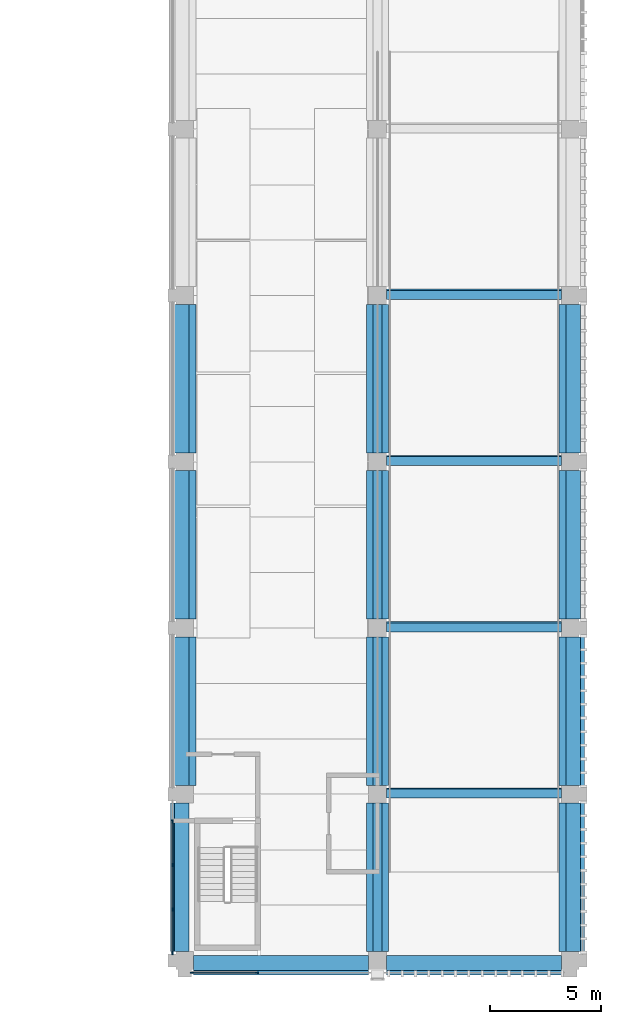
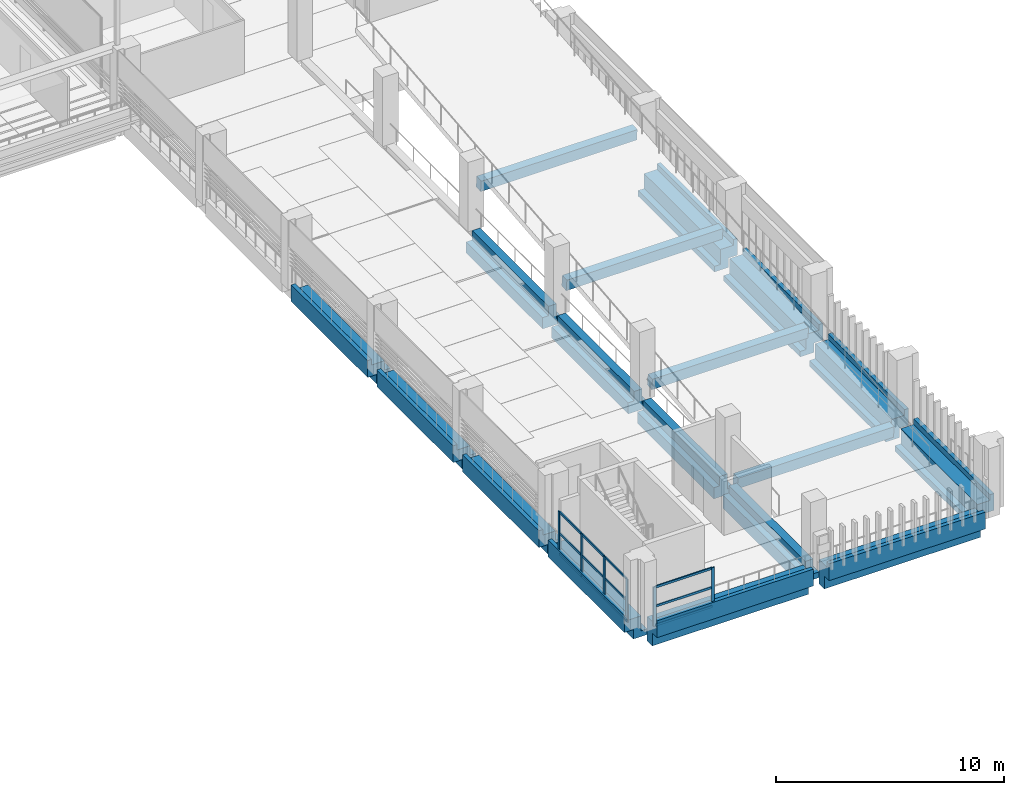
# One storey, part 23 of 62: 18 beams, 18 members, 2 elements without a shape of their own.
"""IFC4 building model written with IfcOpenShell, lengths in metres."""

import ifcopenshell
import ifcopenshell.guid

model = None  # the IFC model being written
_history = None  # IfcOwnerHistory: only IFC2X3 demands one
_inside = {}  # id of a spatial element -> (the spatial element, [elements in it])
_under = {}  # id of a project, library or spatial element -> (it, [spatial elements below it])
_declared = {}  # id of a project -> (the project, [libraries it declares])
_typed = {}  # id of a type object -> (the type object, [elements of that type])
_made_of = {}  # id of a material, layer set ... -> (it, [elements and type objects made of it])


def new_model(schema):
    """Start an empty IFC model of exactly this schema.

    Asked for "IFC4X3", IfcOpenShell would pick the latest addendum, in which some entities
    have other attributes; the version numbers below select the first issue.
    IFC2X3 requires an IfcOwnerHistory on every rooted entity: one is made here for all.
    """
    global model, _history
    if schema == "IFC4X3":
        model = ifcopenshell.file(schema_version=(4, 3, 0, 0))
    else:
        model = ifcopenshell.file(schema=schema)
    _inside.clear()
    _under.clear()
    _declared.clear()
    _typed.clear()
    _made_of.clear()
    _history = None
    if model.schema == "IFC2X3":
        org = make("IfcOrganization", Name="unknown")
        user = make(
            "IfcPersonAndOrganization",
            ThePerson=make("IfcPerson", FamilyName="unknown"),
            TheOrganization=org,
        )
        app = make(
            "IfcApplication",
            ApplicationDeveloper=org,
            Version="unknown",
            ApplicationFullName="unknown",
            ApplicationIdentifier="unknown",
        )
        _history = make(
            "IfcOwnerHistory",
            OwningUser=user,
            OwningApplication=app,
            ChangeAction="ADDED",
            CreationDate=0,
        )
    return model


def make(cls, **values):
    """One entity of the class cls with the attributes given. An attribute that is None is left unset."""
    return model.create_entity(
        cls, **{name: value for name, value in values.items() if value is not None}
    )


def rooted(cls, **values):
    """An entity with a GlobalId (a new one), such as an element, a storey or a relation."""
    return make(cls, GlobalId=ifcopenshell.guid.new(), OwnerHistory=_history, **values)


def si_unit(unit_type, name, prefix=None):
    """IfcSIUnit, for example si_unit("LENGTHUNIT", "METRE", prefix="MILLI")."""
    return make("IfcSIUnit", UnitType=unit_type, Prefix=prefix, Name=name)


def assignment(units):
    """IfcUnitAssignment: the units of a project."""
    return None if units is None else make("IfcUnitAssignment", Units=units)


def point(xyz):
    """IfcCartesianPoint."""
    return None if xyz is None else make("IfcCartesianPoint", Coordinates=xyz)


def direction(xyz):
    """IfcDirection."""
    return None if xyz is None else make("IfcDirection", DirectionRatios=xyz)


def frame(location, z_axis=None, x_axis=None):
    """IfcAxis2Placement3D, a coordinate frame: its origin and axes. An axis left out is left unset."""
    return make(
        "IfcAxis2Placement3D",
        Location=point(location),
        Axis=direction(z_axis),
        RefDirection=direction(x_axis),
    )


def frame_2d(location, x_axis=None):
    """IfcAxis2Placement2D, a coordinate frame in the plane: its origin and x axis."""
    return make(
        "IfcAxis2Placement2D", Location=point(location), RefDirection=direction(x_axis)
    )


def origin():
    """The frame at (0, 0, 0) with its axes left unset."""
    return frame((0.0, 0.0, 0.0))


def origin_2d():
    """The frame at (0, 0) in the plane with its x axis left unset."""
    return frame_2d((0.0, 0.0))


def place(relative_to, where):
    """IfcLocalPlacement: puts the frame where relative to a parent placement (None: the world)."""
    return make(
        "IfcLocalPlacement", PlacementRelTo=relative_to, RelativePlacement=where
    )


def context(
    kind, dimensions, precision=None, world=None, true_north=None, identifier=None
):
    """IfcGeometricRepresentationContext, for example the 3D "Model" context."""
    return make(
        "IfcGeometricRepresentationContext",
        ContextIdentifier=identifier,
        ContextType=kind,
        CoordinateSpaceDimension=dimensions,
        Precision=precision,
        WorldCoordinateSystem=world,
        TrueNorth=true_north,
    )


def subcontext(parent, identifier, kind, view, scale=None):
    """IfcGeometricRepresentationSubContext, for example "Body" below "Model"."""
    return make(
        "IfcGeometricRepresentationSubContext",
        ContextIdentifier=identifier,
        ContextType=kind,
        ParentContext=parent,
        TargetScale=scale,
        TargetView=view,
    )


def project(units=None, contexts=None):
    """IfcProject with its units and contexts."""
    return rooted(
        "IfcProject",
        Name="project",
        RepresentationContexts=contexts,
        UnitsInContext=assignment(units),
    )


def spatial(cls, under=None, at=None, **own):
    """A site, building, storey or space (cls), placed at a placement, below another one or the project."""
    s = rooted(cls, ObjectPlacement=at, **own)
    if under is not None:
        _under.setdefault(under.id(), (under, []))[1].append(s)
    return s


def polyline(points):
    """IfcPolyline through the points."""
    return make("IfcPolyline", Points=[point(p) for p in points])


def profile(cls, at=None, kind="AREA", **sizes):
    """A parametric profile (cls). Its sizes go by their IFC names, for example OverallWidth=200.0."""
    return make(cls, ProfileType=kind, Position=at, **sizes)


def rectangle(**sizes):
    """IfcRectangleProfileDef."""
    return profile("IfcRectangleProfileDef", **sizes)


def outline(outer, holes=None, kind="AREA"):
    """IfcArbitraryClosedProfileDef: a profile drawn as a closed curve; with holes, ...WithVoids."""
    if holes is None:
        return make("IfcArbitraryClosedProfileDef", ProfileType=kind, OuterCurve=outer)
    return make(
        "IfcArbitraryProfileDefWithVoids",
        ProfileType=kind,
        OuterCurve=outer,
        InnerCurves=holes,
    )


def extrude(swept, where, along, depth):
    """IfcExtrudedAreaSolid: the profile swept, set in the frame where, extruded along a direction by depth."""
    return make(
        "IfcExtrudedAreaSolid",
        SweptArea=swept,
        Position=where,
        ExtrudedDirection=direction(along),
        Depth=depth,
    )


def shape(context_of_items, identifier, shape_type, items):
    """IfcShapeRepresentation: the items that make up one representation, for example the "Body"."""
    return make(
        "IfcShapeRepresentation",
        ContextOfItems=context_of_items,
        RepresentationIdentifier=identifier,
        RepresentationType=shape_type,
        Items=items,
    )


def material(Name=None, Category=None):
    """IfcMaterial."""
    return make("IfcMaterial", Name=Name, Category=Category)


def layer(
    of_material, thickness, ventilated=None, Name=None, Category=None, Priority=None
):
    """IfcMaterialLayer: one layer of a wall or slab, of a material (None: an air gap)."""
    return make(
        "IfcMaterialLayer",
        Material=of_material,
        LayerThickness=thickness,
        IsVentilated=ventilated,
        Name=Name,
        Category=Category,
        Priority=Priority,
    )


def layer_set(layers, Name=None):
    """IfcMaterialLayerSet."""
    return make("IfcMaterialLayerSet", MaterialLayers=layers, LayerSetName=Name)


def material_profile(
    of_material, cross_section, Name=None, Category=None, Priority=None
):
    """IfcMaterialProfile: a cross section and its material."""
    return make(
        "IfcMaterialProfile",
        Name=Name,
        Material=of_material,
        Profile=cross_section,
        Priority=Priority,
        Category=Category,
    )


def profile_set(profiles, Name=None, composite=None):
    """IfcMaterialProfileSet."""
    return make(
        "IfcMaterialProfileSet",
        Name=Name,
        MaterialProfiles=profiles,
        CompositeProfile=composite,
    )


def made_of(thing, what):
    """Note that an element or type object is made of a material, layer set ...; save() writes the relation."""
    if what is not None:
        _made_of.setdefault(what.id(), (what, []))[1].append(thing)
    return thing


def type_object(cls, material=None, **own):
    """A type object (cls), such as IfcWallType, which elements share."""
    return made_of(rooted(cls, **own), material)


def element(
    cls,
    number,
    at=None,
    inside=None,
    cuts=None,
    type_object=None,
    material=None,
    context=None,
    identifier="Body",
    shape_type=None,
    held_by="IfcProductDefinitionShape",
    body=None,
    shapes=None,
    **own,
):
    """One element of the class cls, such as IfcWall. Its Tag is "e" and its number.

    at: its placement. inside: the storey or other place that contains it. cuts: it is an
    opening in that element (IfcRelVoidsElement). A single representation is given by context,
    identifier, shape_type and body (its items); several are given by shapes. held_by: the class
    of the entity that holds the representations. save() writes the other relations.
    """
    e = rooted(cls, Tag="e%d" % number, ObjectPlacement=at, **own)
    if body is not None:
        shapes = [shape(context, identifier, shape_type, body)]
    if shapes is not None:
        e.Representation = make(held_by, Representations=shapes)
    if inside is not None:
        _inside.setdefault(inside.id(), (inside, []))[1].append(e)
    if cuts is not None:
        rooted(
            "IfcRelVoidsElement", RelatingBuildingElement=cuts, RelatedOpeningElement=e
        )
    if type_object is not None:
        _typed.setdefault(type_object.id(), (type_object, []))[1].append(e)
    return made_of(e, material)


def aggregate(whole, parts):
    """IfcRelAggregates: a whole, such as a stair, and the parts it consists of."""
    return rooted("IfcRelAggregates", RelatingObject=whole, RelatedObjects=parts)


def save(model, path):
    """Write the relations noted so far, then the file.

    IfcRelAggregates (storeys below a building ...), IfcRelContainedInSpatialStructure (elements
    in a storey), IfcRelDefinesByType, IfcRelAssociatesMaterial and IfcRelDeclares: one each for
    every whole, place, type object, material and project.
    """
    for whole, parts in _under.values():
        aggregate(whole, parts)
    for where, things in _inside.values():
        rooted(
            "IfcRelContainedInSpatialStructure",
            RelatedElements=things,
            RelatingStructure=where,
        )
    for kind, things in _typed.values():
        rooted("IfcRelDefinesByType", RelatedObjects=things, RelatingType=kind)
    for what, things in _made_of.values():
        rooted("IfcRelAssociatesMaterial", RelatedObjects=things, RelatingMaterial=what)
    for by, libraries in _declared.values():
        rooted("IfcRelDeclares", RelatingContext=by, RelatedDefinitions=libraries)
    model.write(path)


model = new_model("IFC4")

# Units and contexts
model_context = context("Model", 3, precision=1e-05, world=origin(), true_north=direction((0.0, 1.0)))
body_context = subcontext(model_context, "Body", "Model", "MODEL_VIEW")
ifc_project = project(units=[si_unit("LENGTHUNIT", "METRE"), si_unit("AREAUNIT", "SQUARE_METRE"), si_unit("VOLUMEUNIT", "CUBIC_METRE"), si_unit("PLANEANGLEUNIT", "RADIAN"), si_unit("MASSUNIT", "GRAM", prefix="KILO")], contexts=[model_context])

# Site, building, storey
site_placement = place(None, origin())
site = spatial("IfcSite", under=ifc_project, at=site_placement, CompositionType="ELEMENT")
building_placement = place(site_placement, origin())
building = spatial("IfcBuilding", under=site, at=building_placement, Name="Cour d'Honneur Mobility Palace", CompositionType="ELEMENT")
storey_placement = place(building_placement, frame((0.0, 0.0, 19.300048828125)))
storey = spatial("IfcBuildingStorey", under=building, at=storey_placement, Name="L05", CompositionType="ELEMENT", Elevation=19.300048828125)

# Curtain wall, members
ifc_material_1 = material(Name="Aluminium and glass", Category="aluminium")
ifc_layer = layer(ifc_material_1, 0.10009765625)
ifc_layer_set = layer_set([ifc_layer], Name="Aluminium and glass")
curtain_wall_type = type_object("IfcCurtainWallType", Name="Curtain wall run", PredefinedType="NOTDEFINED", material=ifc_layer_set)
curtain_wall_1_placement = place(storey_placement, origin())
curtain_wall_1 = element("IfcCurtainWall", 1, at=curtain_wall_1_placement, inside=storey, type_object=curtain_wall_type, Name="Curtain wall CW-143", PredefinedType="NOTDEFINED")
ifc_material_2 = material(Name="Aluminium", Category="aluminium")
ifc_material_profile_1 = material_profile(ifc_material_2, rectangle(XDim=0.06005859375, YDim=0.159912109375, at=origin_2d()), Name="Curtain wall mullion")
ifc_profile_set_1 = profile_set([ifc_material_profile_1], Name="Aluminium")
member_type_1 = type_object("IfcMemberType", Name="Curtain wall mullion", PredefinedType="MULLION", material=ifc_profile_set_1)
member_1_placement = place(storey_placement, frame((144.35009765625, 6.27001953125, 0.0), z_axis=(0.0, 0.0, 1.0), x_axis=(1.0, 0.0, 0.0)))
member_1 = element("IfcMember", 2, at=member_1_placement, type_object=member_type_1, Name="CW-143 mullion 1", PredefinedType="MULLION", context=body_context, shape_type="SweptSolid", body=[
    extrude(rectangle(XDim=0.06005859375, YDim=0.159912109375, at=origin_2d()), origin(), (0.0, 0.0, 1.0), 2.300048828125),
])
member_2_placement = place(storey_placement, frame((144.35009765625, 4.300048828125, 0.0), z_axis=(0.0, 0.0, 1.0), x_axis=(1.0, 0.0, 0.0)))
member_2 = element("IfcMember", 3, at=member_2_placement, type_object=member_type_1, Name="CW-143 mullion 2", PredefinedType="MULLION", context=body_context, shape_type="SweptSolid", body=[
    extrude(rectangle(XDim=0.06005859375, YDim=0.159912109375, at=origin_2d()), origin(), (0.0, 0.0, 1.0), 2.300048828125),
])
member_3_placement = place(storey_placement, frame((144.35009765625, 2.300048828125, 0.0), z_axis=(0.0, 0.0, 1.0), x_axis=(1.0, 0.0, 0.0)))
member_3 = element("IfcMember", 4, at=member_3_placement, type_object=member_type_1, Name="CW-143 mullion 3", PredefinedType="MULLION", context=body_context, shape_type="SweptSolid", body=[
    extrude(rectangle(XDim=0.06005859375, YDim=0.159912109375, at=origin_2d()), origin(), (0.0, 0.0, 1.0), 2.300048828125),
])
member_4_placement = place(storey_placement, frame((144.35009765625, 0.330078125, 0.0), z_axis=(0.0, 0.0, 1.0), x_axis=(1.0, 0.0, 0.0)))
member_4 = element("IfcMember", 5, at=member_4_placement, type_object=member_type_1, Name="CW-143 mullion 4", PredefinedType="MULLION", context=body_context, shape_type="SweptSolid", body=[
    extrude(rectangle(XDim=0.06005859375, YDim=0.159912109375, at=origin_2d()), origin(), (0.0, 0.0, 1.0), 2.300048828125),
])

curtain_wall_2_placement = place(storey_placement, origin())
curtain_wall_2 = element("IfcCurtainWall", 6, at=curtain_wall_2_placement, inside=storey, type_object=curtain_wall_type, Name="Curtain wall CW-144", PredefinedType="NOTDEFINED")
member_5_placement = place(storey_placement, frame((145.22998046875, -0.550048828125, 0.0), z_axis=(0.0, 0.0, 1.0), x_axis=(0.0, 1.0, 0.0)))
member_5 = element("IfcMember", 7, at=member_5_placement, type_object=member_type_1, Name="CW-144 mullion 1", PredefinedType="MULLION", context=body_context, shape_type="SweptSolid", body=[
    extrude(rectangle(XDim=0.06005859375, YDim=0.159912109375, at=origin_2d()), origin(), (0.0, 0.0, 1.0), 2.099853515625),
])
member_6_placement = place(storey_placement, frame((148.169921875, -0.550048828125, 0.0), z_axis=(0.0, 0.0, 1.0), x_axis=(0.0, 1.0, 0.0)))
member_6 = element("IfcMember", 8, at=member_6_placement, type_object=member_type_1, Name="CW-144 mullion 2", PredefinedType="MULLION", context=body_context, shape_type="SweptSolid", body=[
    extrude(rectangle(XDim=0.06005859375, YDim=0.159912109375, at=origin_2d()), origin(), (0.0, 0.0, 1.0), 2.099853515625),
])

# Member
ifc_material_3 = material(Name="Aluminium", Category="aluminium")
ifc_material_profile_2 = material_profile(ifc_material_3, rectangle(XDim=0.06005859375, YDim=0.1201171875, at=origin_2d()), Name="Curtain wall transom")
ifc_profile_set_2 = profile_set([ifc_material_profile_2], Name="Aluminium")
member_type_2 = type_object("IfcMemberType", Name="Curtain wall transom", PredefinedType="USERDEFINED", material=ifc_profile_set_2)
member_7_placement = place(storey_placement, frame((144.35009765625, 6.239990234375, 0.030029296875), z_axis=(0.0, -1.0, 0.0), x_axis=(1.0, 0.0, 0.0)))
member_7 = element("IfcMember", 9, at=member_7_placement, type_object=member_type_2, Name="CW-143 transom 1.1", ObjectType="TRANSOM", PredefinedType="USERDEFINED", context=body_context, shape_type="SweptSolid", body=[
    extrude(rectangle(XDim=0.06005859375, YDim=0.1201171875, at=origin_2d()), origin(), (0.0, 0.0, 1.0), 1.909912109375),
])

member_8_placement = place(storey_placement, frame((144.35009765625, 6.239990234375, 1.14990234375), z_axis=(0.0, -1.0, 0.0), x_axis=(1.0, 0.0, 0.0)))
member_8 = element("IfcMember", 10, at=member_8_placement, type_object=member_type_2, Name="CW-143 transom 1.2", ObjectType="TRANSOM", PredefinedType="USERDEFINED", context=body_context, shape_type="SweptSolid", body=[
    extrude(rectangle(XDim=0.06005859375, YDim=0.1201171875, at=origin_2d()), origin(), (0.0, 0.0, 1.0), 1.909912109375),
])

member_9_placement = place(storey_placement, frame((144.35009765625, 6.239990234375, 2.27001953125), z_axis=(0.0, -1.0, 0.0), x_axis=(1.0, 0.0, 0.0)))
member_9 = element("IfcMember", 11, at=member_9_placement, type_object=member_type_2, Name="CW-143 transom 1.3", ObjectType="TRANSOM", PredefinedType="USERDEFINED", context=body_context, shape_type="SweptSolid", body=[
    extrude(rectangle(XDim=0.06005859375, YDim=0.1201171875, at=origin_2d()), origin(), (0.0, 0.0, 1.0), 1.909912109375),
])

member_10_placement = place(storey_placement, frame((144.35009765625, 4.27001953125, 0.030029296875), z_axis=(0.0, -1.0, 0.0), x_axis=(1.0, 0.0, 0.0)))
member_10 = element("IfcMember", 12, at=member_10_placement, type_object=member_type_2, Name="CW-143 transom 2.1", ObjectType="TRANSOM", PredefinedType="USERDEFINED", context=body_context, shape_type="SweptSolid", body=[
    extrude(rectangle(XDim=0.06005859375, YDim=0.1201171875, at=origin_2d()), origin(), (0.0, 0.0, 1.0), 1.93994140625),
])

member_11_placement = place(storey_placement, frame((144.35009765625, 4.27001953125, 1.14990234375), z_axis=(0.0, -1.0, 0.0), x_axis=(1.0, 0.0, 0.0)))
member_11 = element("IfcMember", 13, at=member_11_placement, type_object=member_type_2, Name="CW-143 transom 2.2", ObjectType="TRANSOM", PredefinedType="USERDEFINED", context=body_context, shape_type="SweptSolid", body=[
    extrude(rectangle(XDim=0.06005859375, YDim=0.1201171875, at=origin_2d()), origin(), (0.0, 0.0, 1.0), 1.93994140625),
])

member_12_placement = place(storey_placement, frame((144.35009765625, 4.27001953125, 2.27001953125), z_axis=(0.0, -1.0, 0.0), x_axis=(1.0, 0.0, 0.0)))
member_12 = element("IfcMember", 14, at=member_12_placement, type_object=member_type_2, Name="CW-143 transom 2.3", ObjectType="TRANSOM", PredefinedType="USERDEFINED", context=body_context, shape_type="SweptSolid", body=[
    extrude(rectangle(XDim=0.06005859375, YDim=0.1201171875, at=origin_2d()), origin(), (0.0, 0.0, 1.0), 1.93994140625),
])

member_13_placement = place(storey_placement, frame((144.35009765625, 2.27001953125, 0.030029296875), z_axis=(0.0, -1.0, 0.0), x_axis=(1.0, 0.0, 0.0)))
member_13 = element("IfcMember", 15, at=member_13_placement, type_object=member_type_2, Name="CW-143 transom 3.1", ObjectType="TRANSOM", PredefinedType="USERDEFINED", context=body_context, shape_type="SweptSolid", body=[
    extrude(rectangle(XDim=0.06005859375, YDim=0.1201171875, at=origin_2d()), origin(), (0.0, 0.0, 1.0), 1.909912109375),
])

member_14_placement = place(storey_placement, frame((144.35009765625, 2.27001953125, 1.14990234375), z_axis=(0.0, -1.0, 0.0), x_axis=(1.0, 0.0, 0.0)))
member_14 = element("IfcMember", 16, at=member_14_placement, type_object=member_type_2, Name="CW-143 transom 3.2", ObjectType="TRANSOM", PredefinedType="USERDEFINED", context=body_context, shape_type="SweptSolid", body=[
    extrude(rectangle(XDim=0.06005859375, YDim=0.1201171875, at=origin_2d()), origin(), (0.0, 0.0, 1.0), 1.909912109375),
])

member_15_placement = place(storey_placement, frame((144.35009765625, 2.27001953125, 2.27001953125), z_axis=(0.0, -1.0, 0.0), x_axis=(1.0, 0.0, 0.0)))
member_15 = element("IfcMember", 17, at=member_15_placement, type_object=member_type_2, Name="CW-143 transom 3.3", ObjectType="TRANSOM", PredefinedType="USERDEFINED", context=body_context, shape_type="SweptSolid", body=[
    extrude(rectangle(XDim=0.06005859375, YDim=0.1201171875, at=origin_2d()), origin(), (0.0, 0.0, 1.0), 1.909912109375),
])

aggregate(curtain_wall_1, [member_1, member_2, member_3, member_4, member_7, member_8, member_9, member_10, member_11, member_12, member_13, member_14, member_15])

member_16_placement = place(storey_placement, frame((145.260009765625, -0.550048828125, 0.030029296875), z_axis=(1.0, 0.0, 0.0), x_axis=(0.0, 1.0, 0.0)))
member_16 = element("IfcMember", 18, at=member_16_placement, type_object=member_type_2, Name="CW-144 transom 1.1", ObjectType="TRANSOM", PredefinedType="USERDEFINED", context=body_context, shape_type="SweptSolid", body=[
    extrude(rectangle(XDim=0.06005859375, YDim=0.1201171875, at=origin_2d()), origin(), (0.0, 0.0, 1.0), 2.8798828125),
])

member_17_placement = place(storey_placement, frame((145.260009765625, -0.550048828125, 1.050048828125), z_axis=(1.0, 0.0, 0.0), x_axis=(0.0, 1.0, 0.0)))
member_17 = element("IfcMember", 19, at=member_17_placement, type_object=member_type_2, Name="CW-144 transom 1.2", ObjectType="TRANSOM", PredefinedType="USERDEFINED", context=body_context, shape_type="SweptSolid", body=[
    extrude(rectangle(XDim=0.06005859375, YDim=0.1201171875, at=origin_2d()), origin(), (0.0, 0.0, 1.0), 2.8798828125),
])

member_18_placement = place(storey_placement, frame((145.260009765625, -0.550048828125, 2.070068359375), z_axis=(1.0, 0.0, 0.0), x_axis=(0.0, 1.0, 0.0)))
member_18 = element("IfcMember", 20, at=member_18_placement, type_object=member_type_2, Name="CW-144 transom 1.3", ObjectType="TRANSOM", PredefinedType="USERDEFINED", context=body_context, shape_type="SweptSolid", body=[
    extrude(rectangle(XDim=0.06005859375, YDim=0.1201171875, at=origin_2d()), origin(), (0.0, 0.0, 1.0), 2.8798828125),
])

aggregate(curtain_wall_2, [member_5, member_6, member_16, member_17, member_18])

# Beams
ifc_material_4 = material(Name="Concrete C45", Category="concrete")
ifc_material_profile_3 = material_profile(ifc_material_4, outline(polyline([(0.22509765625, -1.300048828125), (0.22509765625, 0.0), (-0.22509765625, 0.0), (-0.449951171875, 0.0), (-0.449951171875, 0.300048828125), (-0.64990234375, 0.300048828125), (-0.64990234375, -0.60009765625), (-0.22509765625, -0.60009765625), (-0.22509765625, -1.300048828125), (0.22509765625, -1.300048828125)])), Name="Edge Spandrel Beam 450x1300 no ledge facade right")
ifc_profile_set_3 = profile_set([ifc_material_profile_3], Name="Concrete C45")
beam_type_1 = type_object("IfcBeamType", Name="Edge Spandrel Beam 450x1300 no ledge facade right", PredefinedType="SPANDREL", material=ifc_profile_set_3)
for number, where, z_axis, x_axis, name in (
    (21, (145.300048828125, 0.0, 0.0), (1.0, 0.0, 0.0), (0.0, 1.0, 0.0), "Precast beam B1 19-19A L05"),
    (22, (154.0, 0.0, 0.0), (1.0, 0.0, 0.0), (0.0, 1.0, 0.0), "Precast beam B1 19A-20 L05"),
):
    element("IfcBeam", number, at=place(storey_placement, frame(where, z_axis=z_axis, x_axis=x_axis)), inside=storey, type_object=beam_type_1, Name=name, PredefinedType="SPANDREL", context=body_context, shape_type="SweptSolid", body=[
        extrude(outline(polyline([(0.22509765625, -1.300048828125), (0.22509765625, 0.0), (-0.22509765625, 0.0), (-0.449951171875, 0.0), (-0.449951171875, 0.300048828125), (-0.64990234375, 0.300048828125), (-0.64990234375, -0.60009765625), (-0.22509765625, -0.60009765625), (-0.22509765625, -1.300048828125), (0.22509765625, -1.300048828125)])), origin(), (0.0, 0.0, 1.0), 7.89990234375),
    ])
ifc_material_5 = material(Name="Concrete C45", Category="concrete")
ifc_material_profile_4 = material_profile(ifc_material_5, outline(polyline([(0.5, -1.10009765625), (0.5, -0.5), (0.199951171875, -0.5), (0.199951171875, 0.0), (-0.199951171875, 0.0), (-0.199951171875, -0.800048828125), (-0.5, -0.800048828125), (-0.5, -1.10009765625), (0.5, -1.10009765625)])), Name="Inverted Tee Beam 400x1100 ledges 600/300 plain")
ifc_profile_set_4 = profile_set([ifc_material_profile_4], Name="Concrete C45")
beam_type_2 = type_object("IfcBeamType", Name="Inverted Tee Beam 400x1100 ledges 600/300 plain", PredefinedType="T_BEAM", material=ifc_profile_set_4)
for number, where, z_axis, x_axis, name in (
    (23, (153.60009765625, 7.89990234375, 0.0), (0.0, 1.0, 0.0), (-1.0, 0.0, 0.0), "Precast beam B19 B-C L05"),
    (24, (153.60009765625, 15.39990234375, 0.0), (0.0, 1.0, 0.0), (-1.0, 0.0, 0.0), "Precast beam B19 C-D L05"),
    (25, (153.60009765625, 22.89990234375, 0.0), (0.0, 1.0, 0.0), (-1.0, 0.0, 0.0), "Precast beam B19 D-E L05"),
):
    element("IfcBeam", number, at=place(storey_placement, frame(where, z_axis=z_axis, x_axis=x_axis)), inside=storey, type_object=beam_type_2, Name=name, PredefinedType="T_BEAM", context=body_context, shape_type="SweptSolid", body=[
        extrude(outline(polyline([(0.5, -1.10009765625), (0.5, -0.5), (0.199951171875, -0.5), (0.199951171875, 0.0), (-0.199951171875, 0.0), (-0.199951171875, -0.800048828125), (-0.5, -0.800048828125), (-0.5, -1.10009765625), (0.5, -1.10009765625)])), origin(), (0.0, 0.0, 1.0), 6.7001953125),
    ])
ifc_material_6 = material(Name="Concrete C45", Category="concrete")
ifc_material_profile_5 = material_profile(ifc_material_6, outline(polyline([(0.5, -1.10009765625), (0.5, -0.39990234375), (0.199951171875, -0.39990234375), (0.199951171875, 0.0), (-0.199951171875, 0.0), (-0.199951171875, -0.800048828125), (-0.5, -0.800048828125), (-0.5, -1.10009765625), (0.5, -1.10009765625)])), Name="Inverted Tee Beam 400x1100 ledges 700/300 plain")
ifc_profile_set_5 = profile_set([ifc_material_profile_5], Name="Concrete C45")
beam_type_3 = type_object("IfcBeamType", Name="Inverted Tee Beam 400x1100 ledges 700/300 plain", PredefinedType="T_BEAM", material=ifc_profile_set_5)
beam_1_placement = place(storey_placement, frame((153.60009765625, 0.39990234375, 0.0), z_axis=(0.0, 1.0, 0.0), x_axis=(-1.0, 0.0, 0.0)))
element("IfcBeam", 26, at=beam_1_placement, inside=storey, type_object=beam_type_3, Name="Precast beam B18 A-B L05", PredefinedType="T_BEAM", context=body_context, shape_type="SweptSolid", body=[
    extrude(outline(polyline([(0.5, -1.10009765625), (0.5, -0.39990234375), (0.199951171875, -0.39990234375), (0.199951171875, 0.0), (-0.199951171875, 0.0), (-0.199951171875, -0.800048828125), (-0.5, -0.800048828125), (-0.5, -1.10009765625), (0.5, -1.10009765625)])), origin(), (0.0, 0.0, 1.0), 6.7001953125),
])
ifc_material_7 = material(Name="Concrete C45", Category="concrete")
ifc_material_profile_6 = material_profile(ifc_material_7, outline(polyline([(0.5, -1.10009765625), (0.5, -0.800048828125), (0.199951171875, -0.800048828125), (0.199951171875, 0.0), (-0.199951171875, 0.0), (-0.449951171875, 0.0), (-0.449951171875, 0.300048828125), (-0.64990234375, 0.300048828125), (-0.64990234375, -0.60009765625), (-0.199951171875, -0.60009765625), (-0.199951171875, -1.10009765625), (0.5, -1.10009765625)])), Name="Ledger Beam 400x1100 ledge left 300 facade right")
ifc_profile_set_6 = profile_set([ifc_material_profile_6], Name="Concrete C45")
beam_type_4 = type_object("IfcBeamType", Name="Ledger Beam 400x1100 ledge left 300 facade right", PredefinedType="BEAM", material=ifc_profile_set_6)
for number, where, z_axis, x_axis, name in (
    (27, (162.300048828125, 0.39990234375, 0.0), (0.0, 1.0, 0.0), (-1.0, 0.0, 0.0), "Precast beam B3 A-B L05"),
    (28, (162.300048828125, 7.89990234375, 0.0), (0.0, 1.0, 0.0), (-1.0, 0.0, 0.0), "Precast beam B3 B-C L05"),
    (29, (162.300048828125, 15.39990234375, 0.0), (0.0, 1.0, 0.0), (-1.0, 0.0, 0.0), "Precast beam B3 C-D L05"),
    (30, (162.300048828125, 22.89990234375, 0.0), (0.0, 1.0, 0.0), (-1.0, 0.0, 0.0), "Precast beam B3 D-E L05"),
):
    element("IfcBeam", number, at=place(storey_placement, frame(where, z_axis=z_axis, x_axis=x_axis)), inside=storey, type_object=beam_type_4, Name=name, PredefinedType="BEAM", context=body_context, shape_type="SweptSolid", body=[
        extrude(outline(polyline([(0.5, -1.10009765625), (0.5, -0.800048828125), (0.199951171875, -0.800048828125), (0.199951171875, 0.0), (-0.199951171875, 0.0), (-0.449951171875, 0.0), (-0.449951171875, 0.300048828125), (-0.64990234375, 0.300048828125), (-0.64990234375, -0.60009765625), (-0.199951171875, -0.60009765625), (-0.199951171875, -1.10009765625), (0.5, -1.10009765625)])), origin(), (0.0, 0.0, 1.0), 6.7001953125),
    ])
ifc_material_8 = material(Name="Concrete C45", Category="concrete")
ifc_material_profile_7 = material_profile(ifc_material_8, outline(polyline([(0.199951171875, -1.10009765625), (0.199951171875, -0.60009765625), (0.64990234375, -0.60009765625), (0.64990234375, 0.300048828125), (0.449951171875, 0.300048828125), (0.449951171875, 0.0), (0.199951171875, 0.0), (-0.199951171875, 0.0), (-0.199951171875, -0.800048828125), (-0.5, -0.800048828125), (-0.5, -1.10009765625), (0.199951171875, -1.10009765625)])), Name="Ledger Beam 400x1100 ledge right 300 facade left")
ifc_profile_set_7 = profile_set([ifc_material_profile_7], Name="Concrete C45")
beam_type_5 = type_object("IfcBeamType", Name="Ledger Beam 400x1100 ledge right 300 facade left", PredefinedType="BEAM", material=ifc_profile_set_7)
beam_2_placement = place(storey_placement, frame((144.89990234375, 0.39990234375, 0.0), z_axis=(0.0, 1.0, 0.0), x_axis=(-1.0, 0.0, 0.0)))
element("IfcBeam", 31, at=beam_2_placement, inside=storey, type_object=beam_type_5, Name="Precast beam B6 A-B L05", PredefinedType="BEAM", context=body_context, shape_type="SweptSolid", body=[
    extrude(outline(polyline([(0.199951171875, -1.10009765625), (0.199951171875, -0.60009765625), (0.64990234375, -0.60009765625), (0.64990234375, 0.300048828125), (0.449951171875, 0.300048828125), (0.449951171875, 0.0), (0.199951171875, 0.0), (-0.199951171875, 0.0), (-0.199951171875, -0.800048828125), (-0.5, -0.800048828125), (-0.5, -1.10009765625), (0.199951171875, -1.10009765625)])), origin(), (0.0, 0.0, 1.0), 6.7001953125),
])
ifc_material_9 = material(Name="Concrete C45", Category="concrete")
ifc_material_profile_8 = material_profile(ifc_material_9, outline(polyline([(0.199951171875, -1.10009765625), (0.199951171875, -0.60009765625), (0.64990234375, -0.60009765625), (0.64990234375, 0.300048828125), (0.449951171875, 0.300048828125), (0.449951171875, 0.0), (0.199951171875, 0.0), (-0.199951171875, 0.0), (-0.199951171875, -0.5), (-0.5, -0.5), (-0.5, -1.10009765625), (0.199951171875, -1.10009765625)])), Name="Ledger Beam 400x1100 ledge right 600 facade left")
ifc_profile_set_8 = profile_set([ifc_material_profile_8], Name="Concrete C45")
beam_type_6 = type_object("IfcBeamType", Name="Ledger Beam 400x1100 ledge right 600 facade left", PredefinedType="BEAM", material=ifc_profile_set_8)
for number, where, z_axis, x_axis, name in (
    (32, (144.89990234375, 7.89990234375, 0.0), (0.0, 1.0, 0.0), (-1.0, 0.0, 0.0), "Precast beam B15 B-C L05"),
    (33, (144.89990234375, 15.39990234375, 0.0), (0.0, 1.0, 0.0), (-1.0, 0.0, 0.0), "Precast beam B15 C-D L05"),
    (34, (144.89990234375, 22.89990234375, 0.0), (0.0, 1.0, 0.0), (-1.0, 0.0, 0.0), "Precast beam B15 D-E L05"),
):
    element("IfcBeam", number, at=place(storey_placement, frame(where, z_axis=z_axis, x_axis=x_axis)), inside=storey, type_object=beam_type_6, Name=name, PredefinedType="BEAM", context=body_context, shape_type="SweptSolid", body=[
        extrude(outline(polyline([(0.199951171875, -1.10009765625), (0.199951171875, -0.60009765625), (0.64990234375, -0.60009765625), (0.64990234375, 0.300048828125), (0.449951171875, 0.300048828125), (0.449951171875, 0.0), (0.199951171875, 0.0), (-0.199951171875, 0.0), (-0.199951171875, -0.5), (-0.5, -0.5), (-0.5, -1.10009765625), (0.199951171875, -1.10009765625)])), origin(), (0.0, 0.0, 1.0), 6.7001953125),
    ])
ifc_material_10 = material(Name="Concrete C40", Category="concrete")
ifc_material_profile_9 = material_profile(ifc_material_10, rectangle(XDim=0.39990234375, YDim=0.60009765625, at=origin_2d()), Name="Ramp cross beam 400x600")
ifc_profile_set_9 = profile_set([ifc_material_profile_9], Name="Concrete C40")
beam_type_7 = type_object("IfcBeamType", Name="Ramp cross beam 400x600", PredefinedType="BEAM", material=ifc_profile_set_9)
for number, where, z_axis, x_axis, name in (
    (35, (161.89990234375, 7.559814453125, -0.2470703125), (-1.0, 0.0, 0.0), (0.0, -0.995037190449, -0.099503716633), "Ramp cross beam SE.R5-1"),
    (36, (161.89990234375, 15.059814453125, 0.5029296875), (-1.0, 0.0, 0.0), (0.0, -0.995037190449, -0.099503716633), "Ramp cross beam SE.R5-2"),
    (37, (161.89990234375, 22.559814453125, 1.2529296875), (-1.0, 0.0, 0.0), (0.0, -0.995037190449, -0.099503716633), "Ramp cross beam SE.R5-3"),
    (38, (161.89990234375, 30.059814453125, 2.0029296875), (-1.0, 0.0, 0.0), (0.0, -0.995037190449, -0.099503716633), "Ramp cross beam SE.R5-4"),
):
    element("IfcBeam", number, at=place(storey_placement, frame(where, z_axis=z_axis, x_axis=x_axis)), inside=storey, type_object=beam_type_7, Name=name, PredefinedType="BEAM", context=body_context, shape_type="SweptSolid", body=[
        extrude(rectangle(XDim=0.39990234375, YDim=0.60009765625, at=origin_2d()), origin(), (0.0, 0.0, 1.0), 7.89990234375),
    ])

save(model, "model.ifc")
